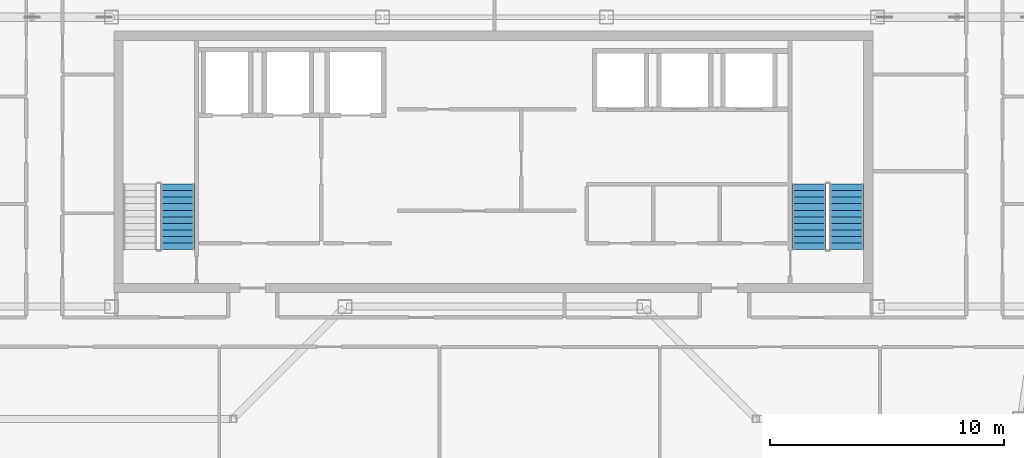
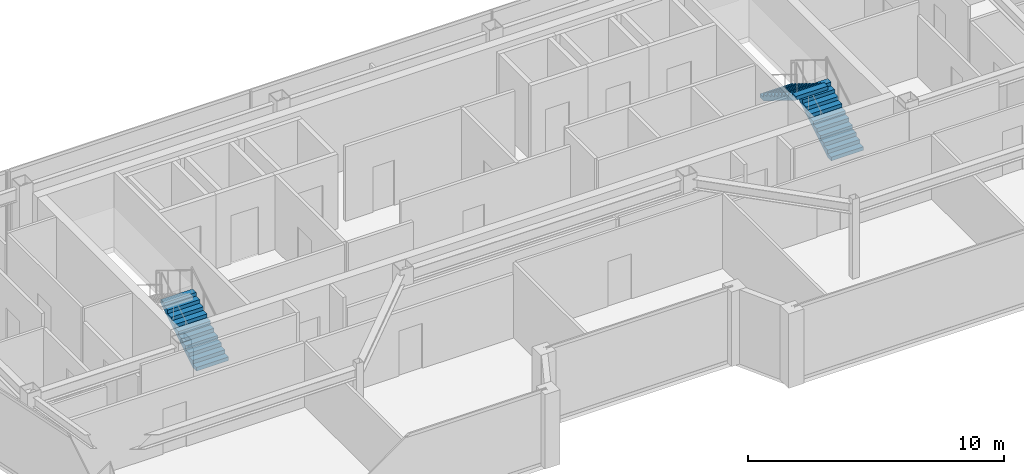
# One storey, part 21 of 24: 3 stair flights, 2 elements without a shape of their own.
"""IFC4 building model written with IfcOpenShell, lengths in metres."""

from ifc_helpers import new_model, si_unit, direction, frame, origin, place, context, subcontext, project, spatial, polyline, outline, extrude, material, type_object, element, aggregate, save


model = new_model("IFC4")

# Units and contexts
model_context = context("Model", 3, precision=1e-05, world=origin(), true_north=direction((0.0, 1.0)))
body_context = subcontext(model_context, "Body", "Model", "MODEL_VIEW")
ifc_project = project(units=[si_unit("LENGTHUNIT", "METRE"), si_unit("AREAUNIT", "SQUARE_METRE"), si_unit("VOLUMEUNIT", "CUBIC_METRE"), si_unit("PLANEANGLEUNIT", "RADIAN"), si_unit("MASSUNIT", "GRAM", prefix="KILO")], contexts=[model_context])

# Site, building, storey
site_placement = place(None, origin())
site = spatial("IfcSite", under=ifc_project, at=site_placement, CompositionType="ELEMENT")
building_placement = place(site_placement, origin())
building = spatial("IfcBuilding", under=site, at=building_placement, Name="Saevonmaru Cultural Tower", CompositionType="ELEMENT")
storey_placement = place(building_placement, frame((0.0, 0.0, 299.0)))
storey = spatial("IfcBuildingStorey", under=building, at=storey_placement, Name="L71", CompositionType="ELEMENT", Elevation=299.0)

# Stair, stair flight
ifc_material_1 = material(Name="Concrete C40/50", Category="concrete")
stair_type = type_object("IfcStairType", Name="STR-DOGLEG-RC", PredefinedType="HALF_TURN_STAIR", material=ifc_material_1)
stair_1_placement = place(storey_placement, origin())
stair_1 = element("IfcStair", 1, at=stair_1_placement, inside=storey, type_object=stair_type, Name="L71 Protected exit stair ST-1", PredefinedType="HALF_TURN_STAIR")
ifc_material_2 = material(Name="Precast concrete C40/50", Category="concrete")
stair_flight_type = type_object("IfcStairFlightType", Name="STF-PRECAST-180", PredefinedType="STRAIGHT", material=ifc_material_2)
stair_flight_1_placement = place(storey_placement, frame((16.425048828125, 44.85009765625, 0.0), z_axis=(0.0, 0.0, 1.0), x_axis=(0.0, 1.0, 0.0)))
stair_flight_1 = element("IfcStairFlight", 2, at=stair_flight_1_placement, type_object=stair_flight_type, Name="ST-1-L71 flight 1", NumberOfRisers=11, NumberOfTreads=10, PredefinedType="STRAIGHT", RiserHeight=0.172727273, TreadLength=0.28, context=body_context, shape_type="SweptSolid", body=[
    extrude(outline(polyline([(0.0, 0.0), (0.0, 0.172607421875), (0.280029296875, 0.172607421875), (0.280029296875, 0.345458984375), (0.56005859375, 0.345458984375), (0.56005859375, 0.51806640625), (0.840087890625, 0.51806640625), (0.840087890625, 0.69091796875), (1.1201171875, 0.69091796875), (1.1201171875, 0.863525390625), (1.39990234375, 0.863525390625), (1.39990234375, 1.036376953125), (1.679931640625, 1.036376953125), (1.679931640625, 1.208984375), (1.9599609375, 1.208984375), (1.9599609375, 1.3818359375), (2.239990234375, 1.3818359375), (2.239990234375, 1.554443359375), (2.52001953125, 1.554443359375), (2.52001953125, 1.727294921875), (2.800048828125, 1.727294921875), (2.800048828125, 1.89990234375), (2.800048828125, 1.551025390625), (0.285400390625, 0.0), (0.0, 0.0)])), frame((0.0, 0.72509765625, 0.0), z_axis=(0.0, -1.0, 0.0), x_axis=(1.0, 0.0, 0.0)), (0.0, 0.0, 1.0), 1.449951171875),
])
aggregate(stair_1, [stair_flight_1])

# Stair, stair flights
stair_2_placement = place(storey_placement, origin())
stair_2 = element("IfcStair", 3, at=stair_2_placement, inside=storey, type_object=stair_type, Name="L71 Protected exit stair ST-2", PredefinedType="HALF_TURN_STAIR")
stair_flight_2_placement = place(storey_placement, frame((45.074951171875, 44.85009765625, 0.0), z_axis=(0.0, 0.0, 1.0), x_axis=(0.0, 1.0, 0.0)))
stair_flight_2 = element("IfcStairFlight", 4, at=stair_flight_2_placement, type_object=stair_flight_type, Name="ST-2-L71 flight 1", NumberOfRisers=11, NumberOfTreads=10, PredefinedType="STRAIGHT", RiserHeight=0.172727273, TreadLength=0.28, context=body_context, shape_type="SweptSolid", body=[
    extrude(outline(polyline([(0.0, 0.0), (0.0, 0.172607421875), (0.280029296875, 0.172607421875), (0.280029296875, 0.345458984375), (0.56005859375, 0.345458984375), (0.56005859375, 0.51806640625), (0.840087890625, 0.51806640625), (0.840087890625, 0.69091796875), (1.1201171875, 0.69091796875), (1.1201171875, 0.863525390625), (1.39990234375, 0.863525390625), (1.39990234375, 1.036376953125), (1.679931640625, 1.036376953125), (1.679931640625, 1.208984375), (1.9599609375, 1.208984375), (1.9599609375, 1.3818359375), (2.239990234375, 1.3818359375), (2.239990234375, 1.554443359375), (2.52001953125, 1.554443359375), (2.52001953125, 1.727294921875), (2.800048828125, 1.727294921875), (2.800048828125, 1.89990234375), (2.800048828125, 1.551025390625), (0.285400390625, 0.0), (0.0, 0.0)])), frame((0.0, 0.72509765625, 0.0), z_axis=(0.0, -1.0, 0.0), x_axis=(1.0, 0.0, 0.0)), (0.0, 0.0, 1.0), 1.449951171875),
])
stair_flight_3_placement = place(storey_placement, frame((43.47509765625, 47.64990234375, 1.89990234375), z_axis=(0.0, 0.0, 1.0), x_axis=(0.0, -1.0, 0.0)))
stair_flight_3 = element("IfcStairFlight", 5, at=stair_flight_3_placement, type_object=stair_flight_type, Name="ST-2-L71 flight 2", NumberOfRisers=11, NumberOfTreads=10, PredefinedType="STRAIGHT", RiserHeight=0.172727273, TreadLength=0.28, context=body_context, shape_type="SweptSolid", body=[
    extrude(outline(polyline([(0.0, 0.0), (0.0, 0.172607421875), (0.280029296875, 0.172607421875), (0.280029296875, 0.345458984375), (0.56005859375, 0.345458984375), (0.56005859375, 0.51806640625), (0.840087890625, 0.51806640625), (0.840087890625, 0.69091796875), (1.1201171875, 0.69091796875), (1.1201171875, 0.863525390625), (1.39990234375, 0.863525390625), (1.39990234375, 1.036376953125), (1.679931640625, 1.036376953125), (1.679931640625, 1.208984375), (1.9599609375, 1.208984375), (1.9599609375, 1.3818359375), (2.239990234375, 1.3818359375), (2.239990234375, 1.554443359375), (2.52001953125, 1.554443359375), (2.52001953125, 1.727294921875), (2.800048828125, 1.727294921875), (2.800048828125, 1.89990234375), (2.800048828125, 1.551025390625), (0.285400390625, 0.0), (0.0, 0.0)])), frame((0.0, 0.72509765625, 0.0), z_axis=(0.0, -1.0, 0.0), x_axis=(1.0, 0.0, 0.0)), (0.0, 0.0, 1.0), 1.449951171875),
])
aggregate(stair_2, [stair_flight_2, stair_flight_3])

save(model, "model.ifc")
